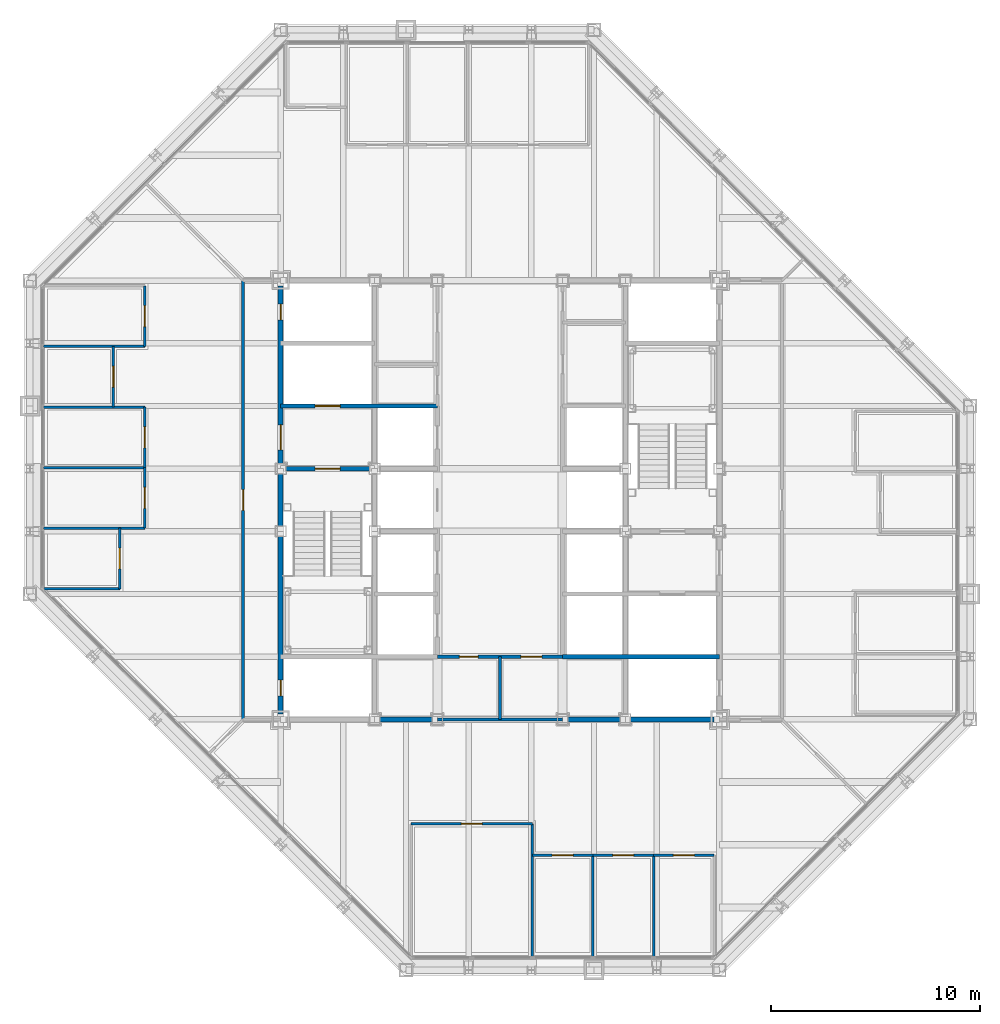
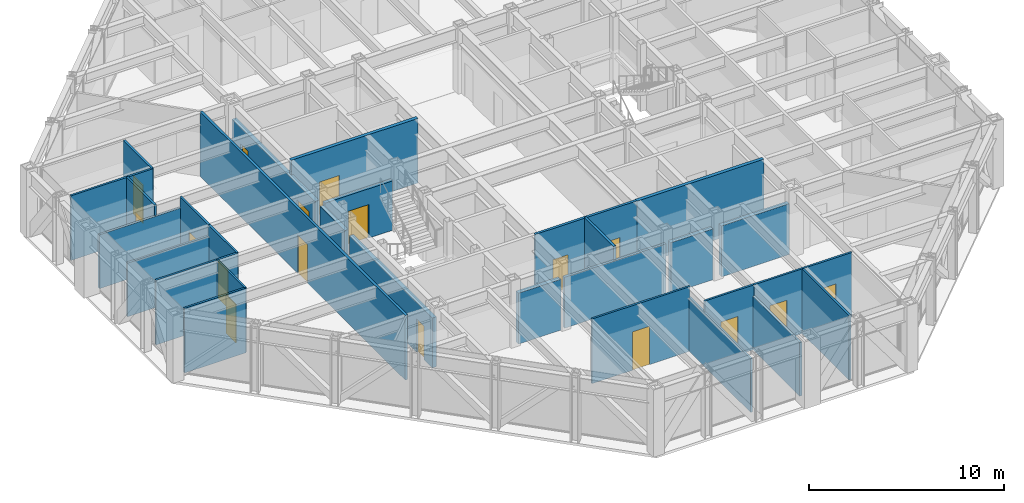
# One storey, part 11 of 16: 30 walls, 17 doors, 17 openings.
"""IFC4 building model written with IfcOpenShell, lengths in metres."""

from ifc_helpers import new_model, si_unit, direction, frame, frame_2d, origin, place, context, subcontext, project, spatial, rectangle, extrude, material, layer, layer_set, type_object, element, fill, save


model = new_model("IFC4")

# Units and contexts
model_context = context("Model", 3, precision=1e-05, world=origin(), true_north=direction((0.0, 1.0)))
body_context = subcontext(model_context, "Body", "Model", "MODEL_VIEW")
ifc_project = project(units=[si_unit("LENGTHUNIT", "METRE"), si_unit("AREAUNIT", "SQUARE_METRE"), si_unit("VOLUMEUNIT", "CUBIC_METRE"), si_unit("PLANEANGLEUNIT", "RADIAN"), si_unit("MASSUNIT", "GRAM", prefix="KILO")], contexts=[model_context])

# Site, building, storey
site_placement = place(None, origin())
site = spatial("IfcSite", under=ifc_project, at=site_placement, CompositionType="ELEMENT")
building_placement = place(site_placement, origin())
building = spatial("IfcBuilding", under=site, at=building_placement, Name="Chuquiago Exchange Tower", CompositionType="ELEMENT")
storey_placement = place(building_placement, frame((0.0, 0.0, 222.300048828125)))
storey = spatial("IfcBuildingStorey", under=building, at=storey_placement, Name="L49", CompositionType="ELEMENT", Elevation=222.300048828125)

# Wall, opening, door
ifc_material_1 = material(Name="Concrete masonry, fully grouted", Category="masonry")
ifc_layer_1 = layer(ifc_material_1, 0.25)
ifc_layer_set_1 = layer_set([ifc_layer_1], Name="W1 core wall 250")
wall_type_1 = type_object("IfcWallType", Name="W1 core wall 250", PredefinedType="SOLIDWALL", material=ifc_layer_set_1)
wall_1_placement = place(storey_placement, frame((12.0, 12.25, 0.0), z_axis=(0.0, 0.0, 1.0), x_axis=(0.0, 1.0, 0.0)))
wall_1 = element("IfcWall", 1, at=wall_1_placement, inside=storey, type_object=wall_type_1, Name="CW-L49-00-0", PredefinedType="SOLIDWALL", context=body_context, shape_type="SweptSolid", body=[
    extrude(rectangle(XDim=8.5, YDim=0.25, at=frame_2d((4.25, 0.0))), origin(), (0.0, 0.0, 1.0), 3.11279296875),
])
opening_1_placement = place(wall_1_placement, frame((0.875, 0.0, 0.0)))
opening_1 = element("IfcOpeningElement", 2, at=opening_1_placement, cuts=wall_1, Name="Opening L49-007", PredefinedType="OPENING", context=body_context, shape_type="SweptSolid", body=[
    extrude(rectangle(XDim=0.75, YDim=2.10009765625, at=frame_2d((0.375, 1.050048828125))), frame((0.0, 0.135009765625, 0.0), z_axis=(0.0, -1.0, 0.0), x_axis=(1.0, 0.0, 0.0)), (0.0, 0.0, 1.0), 0.27001953125),
])
ifc_material_2 = material(Name="Steel door, painted", Category="steel")
door_type_1 = type_object("IfcDoorType", Name="D6 riser access door 750x2100", OperationType="SINGLE_SWING_LEFT", PredefinedType="DOOR", material=ifc_material_2)
door_1_placement = place(opening_1_placement, origin())
door_1 = element("IfcDoor", 3, at=door_1_placement, inside=storey, type_object=door_type_1, Name="Riser RW1 door", OperationType="SINGLE_SWING_LEFT", OverallHeight=2.10009765625, OverallWidth=0.75, PredefinedType="DOOR", context=body_context, shape_type="SweptSolid", body=[
    extrude(rectangle(XDim=0.75, YDim=2.10009765625, at=frame_2d((0.375, 1.050048828125))), frame((0.0, 0.02490234375, 0.0), z_axis=(0.0, -1.0, 0.0), x_axis=(1.0, 0.0, 0.0)), (0.0, 0.0, 1.0), 0.050048828125),
])
fill(opening_1, door_1)

# Wall
wall_2_placement = place(storey_placement, frame((12.0, 21.25, 0.0), z_axis=(0.0, 0.0, 1.0), x_axis=(0.0, 1.0, 0.0)))
element("IfcWall", 4, at=wall_2_placement, inside=storey, type_object=wall_type_1, Name="CW-L49-00-1", PredefinedType="SOLIDWALL", context=body_context, shape_type="SweptSolid", body=[
    extrude(rectangle(XDim=2.5, YDim=0.25, at=frame_2d((1.25, 0.0))), origin(), (0.0, 0.0, 1.0), 3.11279296875),
])

# Wall, openings, doors
wall_3_placement = place(storey_placement, frame((12.0, 24.25, 0.0), z_axis=(0.0, 0.0, 1.0), x_axis=(0.0, 1.0, 0.0)))
wall_3 = element("IfcWall", 5, at=wall_3_placement, inside=storey, type_object=wall_type_1, Name="CW-L49-00-2", PredefinedType="SOLIDWALL", context=body_context, shape_type="SweptSolid", body=[
    extrude(rectangle(XDim=8.5, YDim=0.25, at=frame_2d((4.25, 0.0))), origin(), (0.0, 0.0, 1.0), 3.11279296875),
])
opening_2_placement = place(wall_3_placement, frame((0.64990234375, 0.0, 0.0)))
opening_2 = element("IfcOpeningElement", 6, at=opening_2_placement, cuts=wall_3, Name="Opening L49-002", PredefinedType="OPENING", context=body_context, shape_type="SweptSolid", body=[
    extrude(rectangle(XDim=1.199951171875, YDim=2.10009765625, at=frame_2d((0.60009765625, 1.050048828125))), frame((0.0, 0.135009765625, 0.0), z_axis=(0.0, -1.0, 0.0), x_axis=(1.0, 0.0, 0.0)), (0.0, 0.0, 1.0), 0.27001953125),
])
opening_3_placement = place(wall_3_placement, frame((6.875, 0.0, 0.0)))
opening_3 = element("IfcOpeningElement", 7, at=opening_3_placement, cuts=wall_3, Name="Opening L49-008", PredefinedType="OPENING", context=body_context, shape_type="SweptSolid", body=[
    extrude(rectangle(XDim=0.75, YDim=2.10009765625, at=frame_2d((0.375, 1.050048828125))), frame((0.0, 0.135009765625, 0.0), z_axis=(0.0, -1.0, 0.0), x_axis=(1.0, 0.0, 0.0)), (0.0, 0.0, 1.0), 0.27001953125),
])
ifc_material_3 = material(Name="Steel door, painted", Category="steel")
door_type_2 = type_object("IfcDoorType", Name="D5 firefighting lobby door 1200x2100", OperationType="SINGLE_SWING_LEFT", PredefinedType="DOOR", material=ifc_material_3)
door_2_placement = place(opening_2_placement, frame((1.199951171875, 0.0, 0.0), z_axis=(0.0, 0.0, 1.0), x_axis=(-1.0, 0.0, 0.0)))
door_2 = element("IfcDoor", 8, at=door_2_placement, inside=storey, type_object=door_type_2, Name="Firefighting lobby 1 door", OperationType="SINGLE_SWING_RIGHT", OverallHeight=2.10009765625, OverallWidth=1.199951171875, PredefinedType="DOOR", context=body_context, shape_type="SweptSolid", body=[
    extrude(rectangle(XDim=1.199951171875, YDim=2.10009765625, at=frame_2d((0.60009765625, 1.050048828125))), frame((0.0, 0.02490234375, 0.0), z_axis=(0.0, -1.0, 0.0), x_axis=(1.0, 0.0, 0.0)), (0.0, 0.0, 1.0), 0.050048828125),
])
fill(opening_2, door_2)
door_3_placement = place(opening_3_placement, origin())
door_3 = element("IfcDoor", 9, at=door_3_placement, inside=storey, type_object=door_type_1, Name="Riser RW2 door", OperationType="SINGLE_SWING_RIGHT", OverallHeight=2.10009765625, OverallWidth=0.75, PredefinedType="DOOR", context=body_context, shape_type="SweptSolid", body=[
    extrude(rectangle(XDim=0.75, YDim=2.10009765625, at=frame_2d((0.375, 1.050048828125))), frame((0.0, 0.02490234375, 0.0), z_axis=(0.0, -1.0, 0.0), x_axis=(1.0, 0.0, 0.0)), (0.0, 0.0, 1.0), 0.050048828125),
])
fill(opening_3, door_3)

# Walls
for number, where, z_axis, x_axis, name in (
    (10, (16.75, 12.0, 0.0), (0.0, 0.0, 1.0), (1.0, 0.0, 0.0), "CW-L49-01-1"),
    (11, (25.75, 12.0, 0.0), (0.0, 0.0, 1.0), (1.0, 0.0, 0.0), "CW-L49-02-0"),
):
    element("IfcWall", number, at=place(storey_placement, frame(where, z_axis=z_axis, x_axis=x_axis)), inside=storey, type_object=wall_type_1, Name=name, PredefinedType="SOLIDWALL", context=body_context, shape_type="SweptSolid", body=[
        extrude(rectangle(XDim=2.5, YDim=0.25, at=frame_2d((1.25, 0.0))), origin(), (0.0, 0.0, 1.0), 3.181396484375),
    ])
wall_4_placement = place(storey_placement, frame((28.75, 12.0, 0.0), z_axis=(0.0, 0.0, 1.0), x_axis=(1.0, 0.0, 0.0)))
element("IfcWall", 12, at=wall_4_placement, inside=storey, type_object=wall_type_1, Name="CW-L49-02-1", PredefinedType="SOLIDWALL", context=body_context, shape_type="SweptSolid", body=[
    extrude(rectangle(XDim=4.0, YDim=0.25, at=frame_2d((2.0, 0.0))), origin(), (0.0, 0.0, 1.0), 3.181396484375),
])

# Wall, opening, door
ifc_material_4 = material(Name="Gypsum board on steel studs, acoustic insulation", Category="steel")
ifc_layer_2 = layer(ifc_material_4, 0.14990234375)
ifc_layer_set_2 = layer_set([ifc_layer_2], Name="W11 corridor wall 150")
wall_type_2 = type_object("IfcWallType", Name="W11 corridor wall 150", PredefinedType="PARTITIONING", material=ifc_layer_set_2)
wall_5_placement = place(storey_placement, frame((10.199951171875, 12.0, 0.0), z_axis=(0.0, 0.0, 1.0), x_axis=(0.0, 1.0, 0.0)))
wall_5 = element("IfcWall", 13, at=wall_5_placement, inside=storey, type_object=wall_type_2, Name="PW-L49-GW0", PredefinedType="PARTITIONING", context=body_context, shape_type="SweptSolid", body=[
    extrude(rectangle(XDim=21.0, YDim=0.14990234375, at=frame_2d((10.5, 0.0))), origin(), (0.0, 0.0, 1.0), 4.0400390625),
])
opening_4_placement = place(wall_5_placement, frame((10.0, 0.0, 0.0)))
opening_4 = element("IfcOpeningElement", 14, at=opening_4_placement, cuts=wall_5, Name="Opening L49-038", PredefinedType="OPENING", context=body_context, shape_type="SweptSolid", body=[
    extrude(rectangle(XDim=1.0, YDim=2.39990234375, at=frame_2d((0.5, 1.199951171875))), frame((0.0, 0.0849609375, 0.0), z_axis=(0.0, -1.0, 0.0), x_axis=(1.0, 0.0, 0.0)), (0.0, 0.0, 1.0), 0.169921875),
])
ifc_material_5 = material(Name="Timber door, laminate faced", Category="wood")
door_type_3 = type_object("IfcDoorType", Name="D9 room door 1000x2400", OperationType="SINGLE_SWING_LEFT", PredefinedType="DOOR", material=ifc_material_5)
door_4_placement = place(opening_4_placement, origin())
door_4 = element("IfcDoor", 15, at=door_4_placement, inside=storey, type_object=door_type_3, Name="Team area door", OperationType="SINGLE_SWING_LEFT", OverallHeight=2.39990234375, OverallWidth=1.0, PredefinedType="DOOR", context=body_context, shape_type="SweptSolid", body=[
    extrude(rectangle(XDim=1.0, YDim=2.39990234375, at=frame_2d((0.5, 1.199951171875))), frame((0.0, 0.02490234375, 0.0), z_axis=(0.0, -1.0, 0.0), x_axis=(1.0, 0.0, 0.0)), (0.0, 0.0, 1.0), 0.050048828125),
])
fill(opening_4, door_4)

# Wall
ifc_material_6 = material(Name="Concrete masonry, fully grouted", Category="masonry")
ifc_layer_3 = layer(ifc_material_6, 0.199951171875)
ifc_layer_set_3 = layer_set([ifc_layer_3], Name="W2 shaft wall 200")
wall_type_3 = type_object("IfcWallType", Name="W2 shaft wall 200", PredefinedType="SOLIDWALL", material=ifc_layer_set_3)
wall_6_placement = place(storey_placement, frame((25.5, 15.0, 0.0), z_axis=(0.0, 0.0, 1.0), x_axis=(1.0, 0.0, 0.0)))
element("IfcWall", 16, at=wall_6_placement, inside=storey, type_object=wall_type_3, Name="CW-L49-04-0", PredefinedType="SOLIDWALL", context=body_context, shape_type="SweptSolid", body=[
    extrude(rectangle(XDim=7.5, YDim=0.199951171875, at=frame_2d((3.75, 0.0))), origin(), (0.0, 0.0, 1.0), 4.0400390625),
])

# Wall, opening, door
wall_7_placement = place(storey_placement, frame((12.25, 24.0, 0.0), z_axis=(0.0, 0.0, 1.0), x_axis=(1.0, 0.0, 0.0)))
wall_7 = element("IfcWall", 17, at=wall_7_placement, inside=storey, type_object=wall_type_3, Name="CW-L49-05-0", PredefinedType="SOLIDWALL", context=body_context, shape_type="SweptSolid", body=[
    extrude(rectangle(XDim=4.0, YDim=0.199951171875, at=frame_2d((2.0, 0.0))), origin(), (0.0, 0.0, 1.0), 3.08984375),
])
opening_5_placement = place(wall_7_placement, frame((1.39990234375, 0.0, 0.0)))
opening_5 = element("IfcOpeningElement", 18, at=opening_5_placement, cuts=wall_7, Name="Opening L49-001", PredefinedType="OPENING", context=body_context, shape_type="SweptSolid", body=[
    extrude(rectangle(XDim=1.199951171875, YDim=2.10009765625, at=frame_2d((0.60009765625, 1.050048828125))), frame((0.0, 0.10986328125, 0.0), z_axis=(0.0, -1.0, 0.0), x_axis=(1.0, 0.0, 0.0)), (0.0, 0.0, 1.0), 0.219970703125),
])
ifc_material_7 = material(Name="Steel door, painted", Category="steel")
door_type_4 = type_object("IfcDoorType", Name="D4 stair door 1200x2100", OperationType="SINGLE_SWING_LEFT", PredefinedType="DOOR", material=ifc_material_7)
door_5_placement = place(opening_5_placement, frame((1.199951171875, 0.0, 0.0), z_axis=(0.0, 0.0, 1.0), x_axis=(-1.0, 0.0, 0.0)))
door_5 = element("IfcDoor", 19, at=door_5_placement, inside=storey, type_object=door_type_4, Name="Stair ST1 door", OperationType="SINGLE_SWING_RIGHT", OverallHeight=2.10009765625, OverallWidth=1.199951171875, PredefinedType="DOOR", context=body_context, shape_type="SweptSolid", body=[
    extrude(rectangle(XDim=1.199951171875, YDim=2.10009765625, at=frame_2d((0.60009765625, 1.050048828125))), frame((0.0, 0.02490234375, 0.0), z_axis=(0.0, -1.0, 0.0), x_axis=(1.0, 0.0, 0.0)), (0.0, 0.0, 1.0), 0.050048828125),
])
fill(opening_5, door_5)

wall_8_placement = place(storey_placement, frame((12.0, 27.0, 0.0), z_axis=(0.0, 0.0, 1.0), x_axis=(1.0, 0.0, 0.0)))
wall_8 = element("IfcWall", 20, at=wall_8_placement, inside=storey, type_object=wall_type_3, Name="CW-L49-07-0", PredefinedType="SOLIDWALL", context=body_context, shape_type="SweptSolid", body=[
    extrude(rectangle(XDim=7.5, YDim=0.199951171875, at=frame_2d((3.75, 0.0))), origin(), (0.0, 0.0, 1.0), 4.0400390625),
])
opening_6_placement = place(wall_8_placement, frame((1.64990234375, 0.0, 0.0)))
opening_6 = element("IfcOpeningElement", 21, at=opening_6_placement, cuts=wall_8, Name="Opening L49-005", PredefinedType="OPENING", context=body_context, shape_type="SweptSolid", body=[
    extrude(rectangle(XDim=1.199951171875, YDim=2.10009765625, at=frame_2d((0.60009765625, 1.050048828125))), frame((0.0, 0.10986328125, 0.0), z_axis=(0.0, -1.0, 0.0), x_axis=(1.0, 0.0, 0.0)), (0.0, 0.0, 1.0), 0.219970703125),
])
ifc_material_8 = material(Name="Stainless steel lift landing door", Category="steel")
door_type_5 = type_object("IfcDoorType", Name="LD2 firefighting lift landing door 1200x2100", OperationType="DOUBLE_DOOR_SLIDING", PredefinedType="DOOR", material=ifc_material_8)
door_6_placement = place(opening_6_placement, origin())
door_6 = element("IfcDoor", 22, at=door_6_placement, inside=storey, type_object=door_type_5, Name="Firefighting lift FL1 landing door", OperationType="DOUBLE_DOOR_SLIDING", OverallHeight=2.10009765625, OverallWidth=1.199951171875, PredefinedType="DOOR", context=body_context, shape_type="SweptSolid", body=[
    extrude(rectangle(XDim=1.199951171875, YDim=2.10009765625, at=frame_2d((0.60009765625, 1.050048828125))), frame((0.0, 0.02490234375, 0.0), z_axis=(0.0, -1.0, 0.0), x_axis=(1.0, 0.0, 0.0)), (0.0, 0.0, 1.0), 0.050048828125),
])
fill(opening_6, door_6)

# Wall, openings, doors
ifc_material_9 = material(Name="Gypsum board on steel studs", Category="steel")
ifc_layer_4 = layer(ifc_material_9, 0.14990234375)
ifc_layer_set_4 = layer_set([ifc_layer_4], Name="W3 core partition 150")
wall_type_4 = type_object("IfcWallType", Name="W3 core partition 150", PredefinedType="PARTITIONING", material=ifc_layer_set_4)
wall_9_placement = place(storey_placement, frame((19.5, 15.0, 0.0), z_axis=(0.0, 0.0, 1.0), x_axis=(1.0, 0.0, 0.0)))
wall_9 = element("IfcWall", 23, at=wall_9_placement, inside=storey, type_object=wall_type_4, Name="CW-L49-TF", PredefinedType="PARTITIONING", context=body_context, shape_type="SweptSolid", body=[
    extrude(rectangle(XDim=6.0, YDim=0.14990234375, at=frame_2d((3.0, 0.0))), origin(), (0.0, 0.0, 1.0), 4.0400390625),
])
opening_7_placement = place(wall_9_placement, frame((4.0, 0.0, 0.0)))
opening_7 = element("IfcOpeningElement", 24, at=opening_7_placement, cuts=wall_9, Name="Opening L49-015", PredefinedType="OPENING", context=body_context, shape_type="SweptSolid", body=[
    extrude(rectangle(XDim=1.0, YDim=2.10009765625, at=frame_2d((0.5, 1.050048828125))), frame((0.0, 0.0849609375, 0.0), z_axis=(0.0, -1.0, 0.0), x_axis=(1.0, 0.0, 0.0)), (0.0, 0.0, 1.0), 0.169921875),
])
opening_8_placement = place(wall_9_placement, frame((1.050048828125, 0.0, 0.0)))
opening_8 = element("IfcOpeningElement", 25, at=opening_8_placement, cuts=wall_9, Name="Opening L49-016", PredefinedType="OPENING", context=body_context, shape_type="SweptSolid", body=[
    extrude(rectangle(XDim=0.89990234375, YDim=2.10009765625, at=frame_2d((0.449951171875, 1.050048828125))), frame((0.0, 0.0849609375, 0.0), z_axis=(0.0, -1.0, 0.0), x_axis=(1.0, 0.0, 0.0)), (0.0, 0.0, 1.0), 0.169921875),
])
ifc_material_10 = material(Name="Timber door, laminate faced", Category="wood")
door_type_6 = type_object("IfcDoorType", Name="D7 toilet door 900x2100", OperationType="SINGLE_SWING_LEFT", PredefinedType="DOOR", material=ifc_material_10)
door_7_placement = place(opening_8_placement, origin())
door_7 = element("IfcDoor", 26, at=door_7_placement, inside=storey, type_object=door_type_6, Name="Cleaner door", OperationType="SINGLE_SWING_LEFT", OverallHeight=2.10009765625, OverallWidth=0.89990234375, PredefinedType="DOOR", context=body_context, shape_type="SweptSolid", body=[
    extrude(rectangle(XDim=0.89990234375, YDim=2.10009765625, at=frame_2d((0.449951171875, 1.050048828125))), frame((0.0, 0.02490234375, 0.0), z_axis=(0.0, -1.0, 0.0), x_axis=(1.0, 0.0, 0.0)), (0.0, 0.0, 1.0), 0.050048828125),
])
fill(opening_8, door_7)
ifc_material_11 = material(Name="Timber door, laminate faced", Category="wood")
door_type_7 = type_object("IfcDoorType", Name="D8 accessible toilet door 1000x2100", OperationType="SLIDING_TO_LEFT", PredefinedType="DOOR", material=ifc_material_11)
door_8_placement = place(opening_7_placement, origin())
door_8 = element("IfcDoor", 27, at=door_8_placement, inside=storey, type_object=door_type_7, Name="Accessible WC door", OperationType="SLIDING_TO_LEFT", OverallHeight=2.10009765625, OverallWidth=1.0, PredefinedType="DOOR", context=body_context, shape_type="SweptSolid", body=[
    extrude(rectangle(XDim=1.0, YDim=2.10009765625, at=frame_2d((0.5, 1.050048828125))), frame((0.0, 0.02490234375, 0.0), z_axis=(0.0, -1.0, 0.0), x_axis=(1.0, 0.0, 0.0)), (0.0, 0.0, 1.0), 0.050048828125),
])
fill(opening_7, door_8)

# Walls
wall_10_placement = place(storey_placement, frame((22.5, 15.0, 0.0), z_axis=(0.0, 0.0, 1.0), x_axis=(0.0, -1.0, 0.0)))
element("IfcWall", 28, at=wall_10_placement, inside=storey, type_object=wall_type_4, Name="CW-L49-TM", PredefinedType="PARTITIONING", context=body_context, shape_type="SweptSolid", body=[
    extrude(rectangle(XDim=3.0, YDim=0.14990234375, at=frame_2d((1.5, 0.0))), origin(), (0.0, 0.0, 1.0), 4.0400390625),
])
wall_11_placement = place(storey_placement, frame((19.5, 12.0, 0.0), z_axis=(0.0, 0.0, 1.0), x_axis=(1.0, 0.0, 0.0)))
element("IfcWall", 29, at=wall_11_placement, inside=storey, type_object=wall_type_4, Name="CW-L49-TB", PredefinedType="PARTITIONING", context=body_context, shape_type="SweptSolid", body=[
    extrude(rectangle(XDim=6.0, YDim=0.14990234375, at=frame_2d((3.0, 0.0))), origin(), (0.0, 0.0, 1.0), 3.181396484375),
])
ifc_material_12 = material(Name="Gypsum board on steel studs", Category="steel")
ifc_layer_5 = layer(ifc_material_12, 0.1201171875)
ifc_layer_set_5 = layer_set([ifc_layer_5], Name="W4 partition 120")
wall_type_5 = type_object("IfcWallType", Name="W4 partition 120", PredefinedType="PARTITIONING", material=ifc_layer_set_5)
wall_12_placement = place(storey_placement, frame((24.0498046875, 0.652587890625, 0.0), z_axis=(0.0, 0.0, 1.0), x_axis=(0.0, 1.0, 0.0)))
element("IfcWall", 30, at=wall_12_placement, inside=storey, type_object=wall_type_5, Name="PW-L49-S02405", PredefinedType="PARTITIONING", context=body_context, shape_type="SweptSolid", body=[
    extrude(rectangle(XDim=6.347412109375, YDim=0.1201171875, at=frame_2d((3.173828125, 0.0))), origin(), (0.0, 0.0, 1.0), 3.356689453125),
])
wall_13_placement = place(storey_placement, frame((26.9501953125, 0.652587890625, 0.0), z_axis=(0.0, 0.0, 1.0), x_axis=(0.0, 1.0, 0.0)))
element("IfcWall", 31, at=wall_13_placement, inside=storey, type_object=wall_type_5, Name="PW-L49-S02695", PredefinedType="PARTITIONING", context=body_context, shape_type="SweptSolid", body=[
    extrude(rectangle(XDim=4.847412109375, YDim=0.1201171875, at=frame_2d((2.423828125, 0.0))), origin(), (0.0, 0.0, 1.0), 3.356689453125),
])
wall_14_placement = place(storey_placement, frame((29.850830078125, 0.652587890625, 0.0), z_axis=(0.0, 0.0, 1.0), x_axis=(0.0, 1.0, 0.0)))
element("IfcWall", 32, at=wall_14_placement, inside=storey, type_object=wall_type_5, Name="PW-L49-S02985", PredefinedType="PARTITIONING", context=body_context, shape_type="SweptSolid", body=[
    extrude(rectangle(XDim=4.847412109375, YDim=0.1201171875, at=frame_2d((2.423828125, 0.0))), origin(), (0.0, 0.0, 1.0), 4.0400390625),
])

# Wall, opening, door
wall_15_placement = place(storey_placement, frame((18.24853515625, 7.0, 0.0), z_axis=(0.0, 0.0, 1.0), x_axis=(1.0, 0.0, 0.0)))
wall_15 = element("IfcWall", 33, at=wall_15_placement, inside=storey, type_object=wall_type_5, Name="PW-L49-SF01825", PredefinedType="PARTITIONING", context=body_context, shape_type="SweptSolid", body=[
    extrude(rectangle(XDim=5.80126953125, YDim=0.1201171875, at=frame_2d((2.900634765625, 0.0))), origin(), (0.0, 0.0, 1.0), 4.0400390625),
])
opening_9_placement = place(wall_15_placement, frame((2.400634765625, 0.0, 0.0)))
opening_9 = element("IfcOpeningElement", 34, at=opening_9_placement, cuts=wall_15, Name="Opening L49-021", PredefinedType="OPENING", context=body_context, shape_type="SweptSolid", body=[
    extrude(rectangle(XDim=1.0, YDim=2.39990234375, at=frame_2d((0.5, 1.199951171875))), frame((0.0, 0.070068359375, 0.0), z_axis=(0.0, -1.0, 0.0), x_axis=(1.0, 0.0, 0.0)), (0.0, 0.0, 1.0), 0.14013671875),
])
ifc_material_13 = material(Name="Timber frame door, full height glazed panel", Category="wood")
door_type_8 = type_object("IfcDoorType", Name="D14 glazed meeting room door 1000x2400", OperationType="SINGLE_SWING_LEFT", PredefinedType="DOOR", material=ifc_material_13)
door_9_placement = place(opening_9_placement, frame((1.0, 0.0, 0.0), z_axis=(0.0, 0.0, 1.0), x_axis=(-1.0, 0.0, 0.0)))
door_9 = element("IfcDoor", 35, at=door_9_placement, inside=storey, type_object=door_type_8, Name="Conference room door", OperationType="SINGLE_SWING_RIGHT", OverallHeight=2.39990234375, OverallWidth=1.0, PredefinedType="DOOR", context=body_context, shape_type="SweptSolid", body=[
    extrude(rectangle(XDim=1.0, YDim=2.39990234375, at=frame_2d((0.5, 1.199951171875))), frame((0.0, 0.02490234375, 0.0), z_axis=(0.0, -1.0, 0.0), x_axis=(1.0, 0.0, 0.0)), (0.0, 0.0, 1.0), 0.050048828125),
])
fill(opening_9, door_9)

wall_16_placement = place(storey_placement, frame((24.0498046875, 5.5, 0.0), z_axis=(0.0, 0.0, 1.0), x_axis=(1.0, 0.0, 0.0)))
wall_16 = element("IfcWall", 36, at=wall_16_placement, inside=storey, type_object=wall_type_5, Name="PW-L49-SF02405", PredefinedType="PARTITIONING", context=body_context, shape_type="SweptSolid", body=[
    extrude(rectangle(XDim=2.900390625, YDim=0.1201171875, at=frame_2d((1.4501953125, 0.0))), origin(), (0.0, 0.0, 1.0), 4.0400390625),
])
opening_10_placement = place(wall_16_placement, frame((0.9501953125, 0.0, 0.0)))
opening_10 = element("IfcOpeningElement", 37, at=opening_10_placement, cuts=wall_16, Name="Opening L49-022", PredefinedType="OPENING", context=body_context, shape_type="SweptSolid", body=[
    extrude(rectangle(XDim=1.0, YDim=2.39990234375, at=frame_2d((0.5, 1.199951171875))), frame((0.0, 0.070068359375, 0.0), z_axis=(0.0, -1.0, 0.0), x_axis=(1.0, 0.0, 0.0)), (0.0, 0.0, 1.0), 0.14013671875),
])
door_10_placement = place(opening_10_placement, frame((1.0, 0.0, 0.0), z_axis=(0.0, 0.0, 1.0), x_axis=(-1.0, 0.0, 0.0)))
door_10 = element("IfcDoor", 38, at=door_10_placement, inside=storey, type_object=door_type_3, Name="Office door", OperationType="SINGLE_SWING_LEFT", OverallHeight=2.39990234375, OverallWidth=1.0, PredefinedType="DOOR", context=body_context, shape_type="SweptSolid", body=[
    extrude(rectangle(XDim=1.0, YDim=2.39990234375, at=frame_2d((0.5, 1.199951171875))), frame((0.0, 0.02490234375, 0.0), z_axis=(0.0, -1.0, 0.0), x_axis=(1.0, 0.0, 0.0)), (0.0, 0.0, 1.0), 0.050048828125),
])
fill(opening_10, door_10)

wall_17_placement = place(storey_placement, frame((26.9501953125, 5.5, 0.0), z_axis=(0.0, 0.0, 1.0), x_axis=(1.0, 0.0, 0.0)))
wall_17 = element("IfcWall", 39, at=wall_17_placement, inside=storey, type_object=wall_type_5, Name="PW-L49-SF02695", PredefinedType="PARTITIONING", context=body_context, shape_type="SweptSolid", body=[
    extrude(rectangle(XDim=2.900634765625, YDim=0.1201171875, at=frame_2d((1.4501953125, 0.0))), origin(), (0.0, 0.0, 1.0), 4.0400390625),
])
opening_11_placement = place(wall_17_placement, frame((0.9501953125, 0.0, 0.0)))
opening_11 = element("IfcOpeningElement", 40, at=opening_11_placement, cuts=wall_17, Name="Opening L49-023", PredefinedType="OPENING", context=body_context, shape_type="SweptSolid", body=[
    extrude(rectangle(XDim=1.0, YDim=2.39990234375, at=frame_2d((0.5, 1.199951171875))), frame((0.0, 0.070068359375, 0.0), z_axis=(0.0, -1.0, 0.0), x_axis=(1.0, 0.0, 0.0)), (0.0, 0.0, 1.0), 0.14013671875),
])
door_11_placement = place(opening_11_placement, frame((1.0, 0.0, 0.0), z_axis=(0.0, 0.0, 1.0), x_axis=(-1.0, 0.0, 0.0)))
door_11 = element("IfcDoor", 41, at=door_11_placement, inside=storey, type_object=door_type_3, Name="Compliance office door", OperationType="SINGLE_SWING_RIGHT", OverallHeight=2.39990234375, OverallWidth=1.0, PredefinedType="DOOR", context=body_context, shape_type="SweptSolid", body=[
    extrude(rectangle(XDim=1.0, YDim=2.39990234375, at=frame_2d((0.5, 1.199951171875))), frame((0.0, 0.02490234375, 0.0), z_axis=(0.0, -1.0, 0.0), x_axis=(1.0, 0.0, 0.0)), (0.0, 0.0, 1.0), 0.050048828125),
])
fill(opening_11, door_11)

wall_18_placement = place(storey_placement, frame((29.850830078125, 5.5, 0.0), z_axis=(0.0, 0.0, 1.0), x_axis=(1.0, 0.0, 0.0)))
wall_18 = element("IfcWall", 42, at=wall_18_placement, inside=storey, type_object=wall_type_5, Name="PW-L49-SF02985", PredefinedType="PARTITIONING", context=body_context, shape_type="SweptSolid", body=[
    extrude(rectangle(XDim=2.900634765625, YDim=0.1201171875, at=frame_2d((1.4501953125, 0.0))), origin(), (0.0, 0.0, 1.0), 4.0400390625),
])
opening_12_placement = place(wall_18_placement, frame((0.9501953125, 0.0, 0.0)))
opening_12 = element("IfcOpeningElement", 43, at=opening_12_placement, cuts=wall_18, Name="Opening L49-024", PredefinedType="OPENING", context=body_context, shape_type="SweptSolid", body=[
    extrude(rectangle(XDim=1.0, YDim=2.39990234375, at=frame_2d((0.5, 1.199951171875))), frame((0.0, 0.070068359375, 0.0), z_axis=(0.0, -1.0, 0.0), x_axis=(1.0, 0.0, 0.0)), (0.0, 0.0, 1.0), 0.14013671875),
])
door_12_placement = place(opening_12_placement, frame((1.0, 0.0, 0.0), z_axis=(0.0, 0.0, 1.0), x_axis=(-1.0, 0.0, 0.0)))
door_12 = element("IfcDoor", 44, at=door_12_placement, inside=storey, type_object=door_type_3, Name="Office door", OperationType="SINGLE_SWING_RIGHT", OverallHeight=2.39990234375, OverallWidth=1.0, PredefinedType="DOOR", context=body_context, shape_type="SweptSolid", body=[
    extrude(rectangle(XDim=1.0, YDim=2.39990234375, at=frame_2d((0.5, 1.199951171875))), frame((0.0, 0.02490234375, 0.0), z_axis=(0.0, -1.0, 0.0), x_axis=(1.0, 0.0, 0.0)), (0.0, 0.0, 1.0), 0.050048828125),
])
fill(opening_12, door_12)

# Walls
wall_19_placement = place(storey_placement, frame((0.666015625, 18.24853515625, 0.0), z_axis=(0.0, 0.0, 1.0), x_axis=(1.0, 0.0, 0.0)))
element("IfcWall", 45, at=wall_19_placement, inside=storey, type_object=wall_type_5, Name="PW-L49-W01825", PredefinedType="PARTITIONING", context=body_context, shape_type="SweptSolid", body=[
    extrude(rectangle(XDim=3.634033203125, YDim=0.1201171875, at=frame_2d((1.81689453125, 0.0))), origin(), (0.0, 0.0, 1.0), 4.0400390625),
])
wall_20_placement = place(storey_placement, frame((0.652587890625, 21.149169921875, 0.0), z_axis=(0.0, 0.0, 1.0), x_axis=(1.0, 0.0, 0.0)))
element("IfcWall", 46, at=wall_20_placement, inside=storey, type_object=wall_type_5, Name="PW-L49-W02115", PredefinedType="PARTITIONING", context=body_context, shape_type="SweptSolid", body=[
    extrude(rectangle(XDim=4.847412109375, YDim=0.1201171875, at=frame_2d((2.423828125, 0.0))), origin(), (0.0, 0.0, 1.0), 4.0400390625),
])
for number, where, z_axis, x_axis, name in (
    (47, (0.652587890625, 24.0498046875, 0.0), (0.0, 0.0, 1.0), (1.0, 0.0, 0.0), "PW-L49-W02405"),
    (48, (0.652587890625, 26.9501953125, 0.0), (0.0, 0.0, 1.0), (1.0, 0.0, 0.0), "PW-L49-W02695"),
):
    element("IfcWall", number, at=place(storey_placement, frame(where, z_axis=z_axis, x_axis=x_axis)), inside=storey, type_object=wall_type_5, Name=name, PredefinedType="PARTITIONING", context=body_context, shape_type="SweptSolid", body=[
        extrude(rectangle(XDim=4.847412109375, YDim=0.1201171875, at=frame_2d((2.423828125, 0.0))), origin(), (0.0, 0.0, 1.0), 3.356689453125),
    ])
wall_21_placement = place(storey_placement, frame((0.652587890625, 29.850830078125, 0.0), z_axis=(0.0, 0.0, 1.0), x_axis=(1.0, 0.0, 0.0)))
element("IfcWall", 49, at=wall_21_placement, inside=storey, type_object=wall_type_5, Name="PW-L49-W02985", PredefinedType="PARTITIONING", context=body_context, shape_type="SweptSolid", body=[
    extrude(rectangle(XDim=4.847412109375, YDim=0.1201171875, at=frame_2d((2.423828125, 0.0))), origin(), (0.0, 0.0, 1.0), 4.0400390625),
])

# Wall, opening, door
wall_22_placement = place(storey_placement, frame((4.300048828125, 18.24853515625, 0.0), z_axis=(0.0, 0.0, 1.0), x_axis=(0.0, 1.0, 0.0)))
wall_22 = element("IfcWall", 50, at=wall_22_placement, inside=storey, type_object=wall_type_5, Name="PW-L49-WF01825", PredefinedType="PARTITIONING", context=body_context, shape_type="SweptSolid", body=[
    extrude(rectangle(XDim=2.900634765625, YDim=0.1201171875, at=frame_2d((1.4501953125, 0.0))), origin(), (0.0, 0.0, 1.0), 4.0400390625),
])
opening_13_placement = place(wall_22_placement, frame((0.9501953125, 0.0, 0.0)))
opening_13 = element("IfcOpeningElement", 51, at=opening_13_placement, cuts=wall_22, Name="Opening L49-033", PredefinedType="OPENING", context=body_context, shape_type="SweptSolid", body=[
    extrude(rectangle(XDim=1.0, YDim=2.39990234375, at=frame_2d((0.5, 1.199951171875))), frame((0.0, 0.070068359375, 0.0), z_axis=(0.0, -1.0, 0.0), x_axis=(1.0, 0.0, 0.0)), (0.0, 0.0, 1.0), 0.14013671875),
])
door_13_placement = place(opening_13_placement, origin())
door_13 = element("IfcDoor", 52, at=door_13_placement, inside=storey, type_object=door_type_3, Name="Pantry door", OperationType="SINGLE_SWING_LEFT", OverallHeight=2.39990234375, OverallWidth=1.0, PredefinedType="DOOR", context=body_context, shape_type="SweptSolid", body=[
    extrude(rectangle(XDim=1.0, YDim=2.39990234375, at=frame_2d((0.5, 1.199951171875))), frame((0.0, 0.02490234375, 0.0), z_axis=(0.0, -1.0, 0.0), x_axis=(1.0, 0.0, 0.0)), (0.0, 0.0, 1.0), 0.050048828125),
])
fill(opening_13, door_13)

wall_23_placement = place(storey_placement, frame((5.5, 21.149169921875, 0.0), z_axis=(0.0, 0.0, 1.0), x_axis=(0.0, 1.0, 0.0)))
wall_23 = element("IfcWall", 53, at=wall_23_placement, inside=storey, type_object=wall_type_5, Name="PW-L49-WF02115", PredefinedType="PARTITIONING", context=body_context, shape_type="SweptSolid", body=[
    extrude(rectangle(XDim=2.900634765625, YDim=0.1201171875, at=frame_2d((1.4501953125, 0.0))), origin(), (0.0, 0.0, 1.0), 4.0400390625),
])
opening_14_placement = place(wall_23_placement, frame((0.9501953125, 0.0, 0.0)))
opening_14 = element("IfcOpeningElement", 54, at=opening_14_placement, cuts=wall_23, Name="Opening L49-034", PredefinedType="OPENING", context=body_context, shape_type="SweptSolid", body=[
    extrude(rectangle(XDim=1.0, YDim=2.39990234375, at=frame_2d((0.5, 1.199951171875))), frame((0.0, 0.070068359375, 0.0), z_axis=(0.0, -1.0, 0.0), x_axis=(1.0, 0.0, 0.0)), (0.0, 0.0, 1.0), 0.14013671875),
])
door_14_placement = place(opening_14_placement, origin())
door_14 = element("IfcDoor", 55, at=door_14_placement, inside=storey, type_object=door_type_3, Name="Office door", OperationType="SINGLE_SWING_LEFT", OverallHeight=2.39990234375, OverallWidth=1.0, PredefinedType="DOOR", context=body_context, shape_type="SweptSolid", body=[
    extrude(rectangle(XDim=1.0, YDim=2.39990234375, at=frame_2d((0.5, 1.199951171875))), frame((0.0, 0.02490234375, 0.0), z_axis=(0.0, -1.0, 0.0), x_axis=(1.0, 0.0, 0.0)), (0.0, 0.0, 1.0), 0.050048828125),
])
fill(opening_14, door_14)

wall_24_placement = place(storey_placement, frame((5.5, 24.0498046875, 0.0), z_axis=(0.0, 0.0, 1.0), x_axis=(0.0, 1.0, 0.0)))
wall_24 = element("IfcWall", 56, at=wall_24_placement, inside=storey, type_object=wall_type_5, Name="PW-L49-WF02405", PredefinedType="PARTITIONING", context=body_context, shape_type="SweptSolid", body=[
    extrude(rectangle(XDim=2.900390625, YDim=0.1201171875, at=frame_2d((1.4501953125, 0.0))), origin(), (0.0, 0.0, 1.0), 4.0400390625),
])
opening_15_placement = place(wall_24_placement, frame((0.9501953125, 0.0, 0.0)))
opening_15 = element("IfcOpeningElement", 57, at=opening_15_placement, cuts=wall_24, Name="Opening L49-035", PredefinedType="OPENING", context=body_context, shape_type="SweptSolid", body=[
    extrude(rectangle(XDim=1.0, YDim=2.39990234375, at=frame_2d((0.5, 1.199951171875))), frame((0.0, 0.070068359375, 0.0), z_axis=(0.0, -1.0, 0.0), x_axis=(1.0, 0.0, 0.0)), (0.0, 0.0, 1.0), 0.14013671875),
])
door_15_placement = place(opening_15_placement, origin())
door_15 = element("IfcDoor", 58, at=door_15_placement, inside=storey, type_object=door_type_8, Name="Meeting room door", OperationType="SINGLE_SWING_RIGHT", OverallHeight=2.39990234375, OverallWidth=1.0, PredefinedType="DOOR", context=body_context, shape_type="SweptSolid", body=[
    extrude(rectangle(XDim=1.0, YDim=2.39990234375, at=frame_2d((0.5, 1.199951171875))), frame((0.0, 0.02490234375, 0.0), z_axis=(0.0, -1.0, 0.0), x_axis=(1.0, 0.0, 0.0)), (0.0, 0.0, 1.0), 0.050048828125),
])
fill(opening_15, door_15)

wall_25_placement = place(storey_placement, frame((4.0, 26.9501953125, 0.0), z_axis=(0.0, 0.0, 1.0), x_axis=(0.0, 1.0, 0.0)))
wall_25 = element("IfcWall", 59, at=wall_25_placement, inside=storey, type_object=wall_type_5, Name="PW-L49-WF02695", PredefinedType="PARTITIONING", context=body_context, shape_type="SweptSolid", body=[
    extrude(rectangle(XDim=2.900634765625, YDim=0.1201171875, at=frame_2d((1.4501953125, 0.0))), origin(), (0.0, 0.0, 1.0), 4.0400390625),
])
opening_16_placement = place(wall_25_placement, frame((0.9501953125, 0.0, 0.0)))
opening_16 = element("IfcOpeningElement", 60, at=opening_16_placement, cuts=wall_25, Name="Opening L49-036", PredefinedType="OPENING", context=body_context, shape_type="SweptSolid", body=[
    extrude(rectangle(XDim=1.0, YDim=2.39990234375, at=frame_2d((0.5, 1.199951171875))), frame((0.0, 0.070068359375, 0.0), z_axis=(0.0, -1.0, 0.0), x_axis=(1.0, 0.0, 0.0)), (0.0, 0.0, 1.0), 0.14013671875),
])
door_16_placement = place(opening_16_placement, origin())
door_16 = element("IfcDoor", 61, at=door_16_placement, inside=storey, type_object=door_type_3, Name="Store door", OperationType="SINGLE_SWING_LEFT", OverallHeight=2.39990234375, OverallWidth=1.0, PredefinedType="DOOR", context=body_context, shape_type="SweptSolid", body=[
    extrude(rectangle(XDim=1.0, YDim=2.39990234375, at=frame_2d((0.5, 1.199951171875))), frame((0.0, 0.02490234375, 0.0), z_axis=(0.0, -1.0, 0.0), x_axis=(1.0, 0.0, 0.0)), (0.0, 0.0, 1.0), 0.050048828125),
])
fill(opening_16, door_16)

wall_26_placement = place(storey_placement, frame((5.5, 29.850830078125, 0.0), z_axis=(0.0, 0.0, 1.0), x_axis=(0.0, 1.0, 0.0)))
wall_26 = element("IfcWall", 62, at=wall_26_placement, inside=storey, type_object=wall_type_5, Name="PW-L49-WF02985", PredefinedType="PARTITIONING", context=body_context, shape_type="SweptSolid", body=[
    extrude(rectangle(XDim=2.900634765625, YDim=0.1201171875, at=frame_2d((1.4501953125, 0.0))), origin(), (0.0, 0.0, 1.0), 4.0400390625),
])
opening_17_placement = place(wall_26_placement, frame((0.9501953125, 0.0, 0.0)))
opening_17 = element("IfcOpeningElement", 63, at=opening_17_placement, cuts=wall_26, Name="Opening L49-037", PredefinedType="OPENING", context=body_context, shape_type="SweptSolid", body=[
    extrude(rectangle(XDim=1.0, YDim=2.39990234375, at=frame_2d((0.5, 1.199951171875))), frame((0.0, 0.070068359375, 0.0), z_axis=(0.0, -1.0, 0.0), x_axis=(1.0, 0.0, 0.0)), (0.0, 0.0, 1.0), 0.14013671875),
])
door_17_placement = place(opening_17_placement, origin())
door_17 = element("IfcDoor", 64, at=door_17_placement, inside=storey, type_object=door_type_3, Name="Office door", OperationType="SINGLE_SWING_LEFT", OverallHeight=2.39990234375, OverallWidth=1.0, PredefinedType="DOOR", context=body_context, shape_type="SweptSolid", body=[
    extrude(rectangle(XDim=1.0, YDim=2.39990234375, at=frame_2d((0.5, 1.199951171875))), frame((0.0, 0.02490234375, 0.0), z_axis=(0.0, -1.0, 0.0), x_axis=(1.0, 0.0, 0.0)), (0.0, 0.0, 1.0), 0.050048828125),
])
fill(opening_17, door_17)

save(model, "model.ifc")
